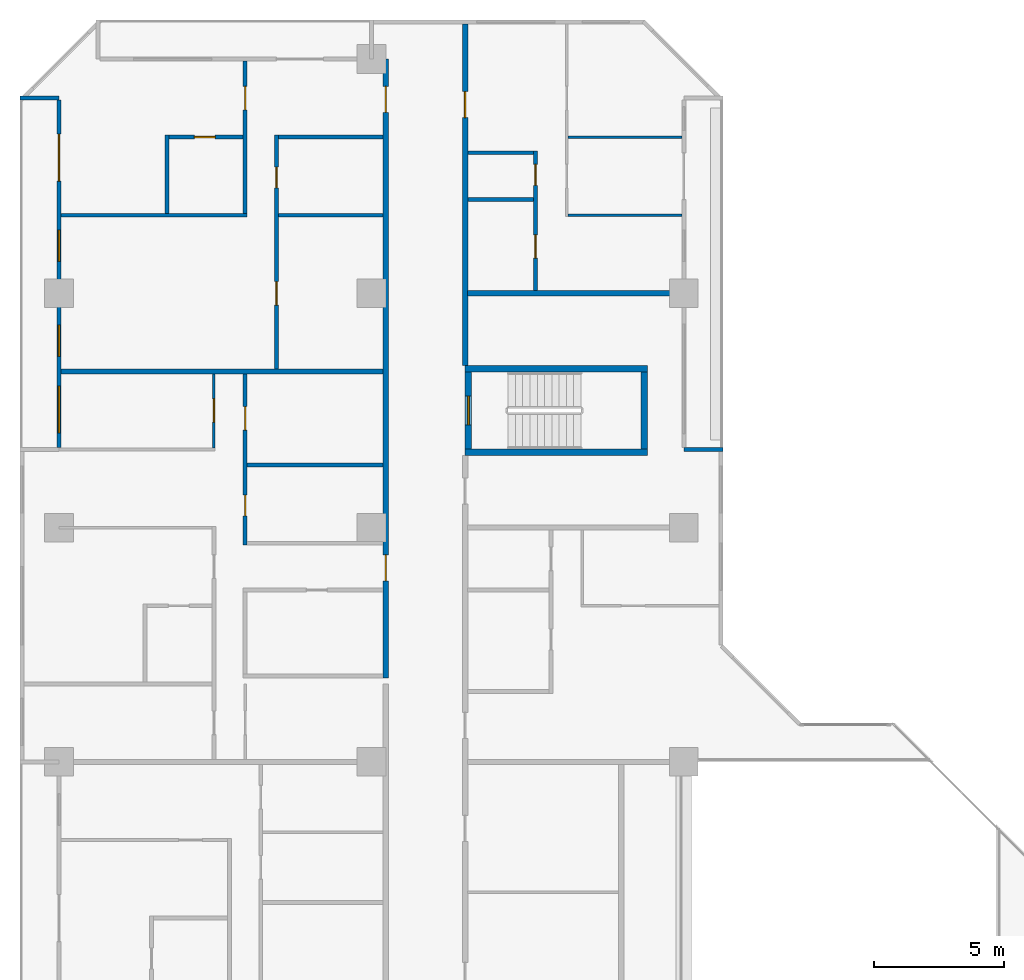
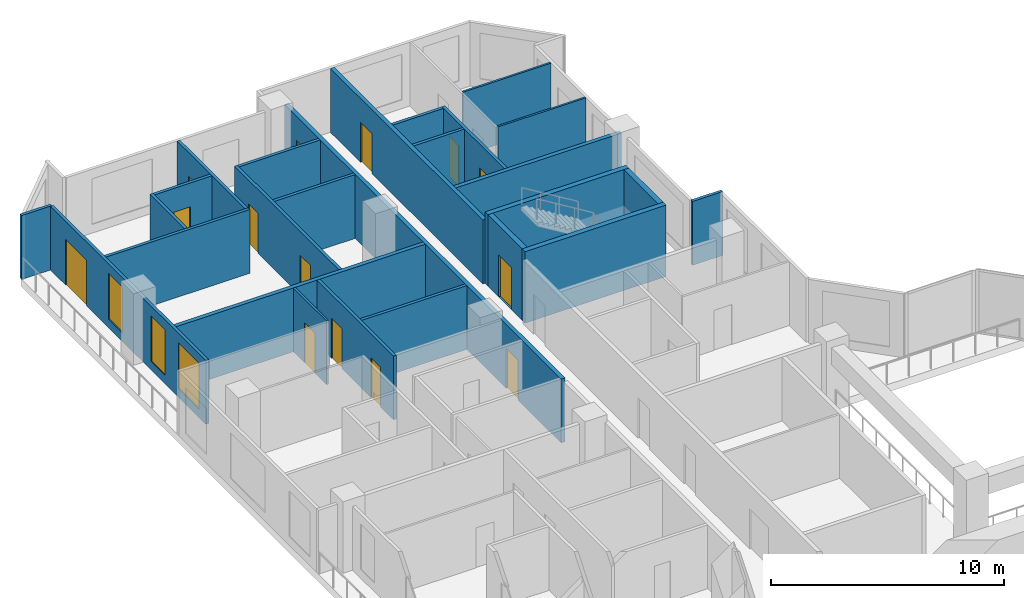
# One storey, part 10 of 15: 26 walls, 14 doors, 3 windows, 17 openings.
"""IFC4 building model written with IfcOpenShell, lengths in metres."""

from ifc_helpers import new_model, si_unit, direction, frame, frame_2d, origin, place, context, subcontext, project, spatial, rectangle, extrude, material, layer, layer_set, type_object, element, fill, save


model = new_model("IFC4")

# Units and contexts
model_context = context("Model", 3, precision=1e-05, world=origin(), true_north=direction((0.0, 1.0)))
body_context = subcontext(model_context, "Body", "Model", "MODEL_VIEW")
ifc_project = project(units=[si_unit("LENGTHUNIT", "METRE"), si_unit("AREAUNIT", "SQUARE_METRE"), si_unit("VOLUMEUNIT", "CUBIC_METRE"), si_unit("PLANEANGLEUNIT", "RADIAN"), si_unit("MASSUNIT", "GRAM", prefix="KILO")], contexts=[model_context])

# Site, building, storey
site_placement = place(None, origin())
site = spatial("IfcSite", under=ifc_project, at=site_placement, CompositionType="ELEMENT")
building_placement = place(site_placement, origin())
building = spatial("IfcBuilding", under=site, at=building_placement, Name="Chenar Terraces", CompositionType="ELEMENT")
storey_placement = place(building_placement, frame((0.0, 0.0, 52.64990234375)))
storey = spatial("IfcBuildingStorey", under=building, at=storey_placement, Name="L10", CompositionType="ELEMENT", Elevation=52.64990234375)

# Walls
ifc_material_1 = material(Name="Concrete C70/85", Category="concrete")
ifc_layer_1 = layer(ifc_material_1, 0.25)
ifc_layer_set_1 = layer_set([ifc_layer_1], Name="Concrete C70/85")
wall_type_1 = type_object("IfcWallType", Name="Core wall 250 Concrete C70/85", PredefinedType="SHEAR", material=ifc_layer_set_1)
for number, where, z_axis, x_axis, name in (
    (1, (15.60009765625, 47.89990234375, 0.0), (0.0, 0.0, 1.0), (1.0, 0.0, 0.0), "Core wall ST4_S L10"),
    (2, (15.60009765625, 51.10009765625, 0.0), (0.0, 0.0, 1.0), (1.0, 0.0, 0.0), "Core wall ST4_N L10"),
):
    element("IfcWall", number, at=place(storey_placement, frame(where, z_axis=z_axis, x_axis=x_axis)), inside=storey, type_object=wall_type_1, Name=name, PredefinedType="SHEAR", context=body_context, shape_type="SweptSolid", body=[
        extrude(rectangle(XDim=7.0, YDim=0.25, at=frame_2d((3.5, 0.0))), origin(), (0.0, 0.0, 1.0), 3.75),
    ])

# Wall, opening, door
wall_1_placement = place(storey_placement, frame((15.72509765625, 48.02490234375, 0.0), z_axis=(0.0, 0.0, 1.0), x_axis=(0.0, 1.0, 0.0)))
wall_1 = element("IfcWall", 3, at=wall_1_placement, inside=storey, type_object=wall_type_1, Name="Core wall ST4_W L10", PredefinedType="SHEAR", context=body_context, shape_type="SweptSolid", body=[
    extrude(rectangle(XDim=2.9501953125, YDim=0.25, at=frame_2d((1.47509765625, 0.0))), origin(), (0.0, 0.0, 1.0), 3.75),
])
opening_1_placement = place(wall_1_placement, frame((0.925048828125, 0.0, 0.0)))
opening_1 = element("IfcOpeningElement", 4, at=opening_1_placement, cuts=wall_1, Name="Opening DL10-C9", PredefinedType="OPENING", context=body_context, shape_type="SweptSolid", body=[
    extrude(rectangle(XDim=1.10009765625, YDim=2.199951171875, at=frame_2d((0.550048828125, 1.10009765625))), frame((0.0, 0.135009765625, 0.0), z_axis=(0.0, -1.0, 0.0), x_axis=(1.0, 0.0, 0.0)), (0.0, 0.0, 1.0), 0.27001953125),
])
ifc_material_2 = material(Name="Steel-framed fire-resisting door leaf", Category="steel")
door_type_1 = type_object("IfcDoorType", Name="Stair fire door FD60 1100 x 2200", OperationType="SINGLE_SWING_LEFT", PredefinedType="DOOR", material=ifc_material_2)
door_1_placement = place(opening_1_placement, frame((1.10009765625, 0.0, 0.0), z_axis=(0.0, 0.0, 1.0), x_axis=(-1.0, 0.0, 0.0)))
door_1 = element("IfcDoor", 5, at=door_1_placement, inside=storey, type_object=door_type_1, Name="Stair door DL10-C9", OperationType="SINGLE_SWING_RIGHT", OverallHeight=2.199951171875, OverallWidth=1.10009765625, PredefinedType="DOOR", context=body_context, shape_type="SweptSolid", body=[
    extrude(rectangle(XDim=1.10009765625, YDim=2.199951171875, at=frame_2d((0.550048828125, 1.10009765625))), frame((0.0, 0.02490234375, 0.0), z_axis=(0.0, -1.0, 0.0), x_axis=(1.0, 0.0, 0.0)), (0.0, 0.0, 1.0), 0.050048828125),
])
fill(opening_1, door_1)

# Wall
wall_2_placement = place(storey_placement, frame((22.47509765625, 48.02490234375, 0.0), z_axis=(0.0, 0.0, 1.0), x_axis=(0.0, 1.0, 0.0)))
element("IfcWall", 6, at=wall_2_placement, inside=storey, type_object=wall_type_1, Name="Core wall ST4_E L10", PredefinedType="SHEAR", context=body_context, shape_type="SweptSolid", body=[
    extrude(rectangle(XDim=2.9501953125, YDim=0.25, at=frame_2d((1.47509765625, 0.0))), origin(), (0.0, 0.0, 1.0), 3.75),
])

# Wall, openings, doors
ifc_material_3 = material(Name="Gypsum board on steel studs with fire boards", Category="steel")
ifc_layer_2 = layer(ifc_material_3, 0.199951171875)
ifc_layer_set_2 = layer_set([ifc_layer_2], Name="Gypsum board on steel studs with fire boards")
wall_type_2 = type_object("IfcWallType", Name="Corridor wall 200", PredefinedType="PARTITIONING", material=ifc_layer_set_2)
wall_3_placement = place(storey_placement, frame((12.550048828125, 39.22509765625, 0.0), z_axis=(0.0, 0.0, 1.0), x_axis=(0.0, 1.0, 0.0)))
wall_3 = element("IfcWall", 7, at=wall_3_placement, inside=storey, type_object=wall_type_2, Name="Partition L10-042", PredefinedType="PARTITIONING", context=body_context, shape_type="SweptSolid", body=[
    extrude(rectangle(XDim=23.77490234375, YDim=0.199951171875, at=frame_2d((11.887451171875, 0.0))), origin(), (0.0, 0.0, 1.0), 3.35009765625),
])
opening_2_placement = place(wall_3_placement, frame((3.72509765625, 0.0, 0.0)))
opening_2 = element("IfcOpeningElement", 8, at=opening_2_placement, cuts=wall_3, Name="Opening DL10-39", PredefinedType="OPENING", context=body_context, shape_type="SweptSolid", body=[
    extrude(rectangle(XDim=1.0, YDim=2.10009765625, at=frame_2d((0.5, 1.050048828125))), frame((0.0, 0.10986328125, 0.0), z_axis=(0.0, -1.0, 0.0), x_axis=(1.0, 0.0, 0.0)), (0.0, 0.0, 1.0), 0.219970703125),
])
opening_3_placement = place(wall_3_placement, frame((21.72509765625, 0.0, 0.0)))
opening_3 = element("IfcOpeningElement", 9, at=opening_3_placement, cuts=wall_3, Name="Opening DL10-45", PredefinedType="OPENING", context=body_context, shape_type="SweptSolid", body=[
    extrude(rectangle(XDim=1.0, YDim=2.10009765625, at=frame_2d((0.5, 1.050048828125))), frame((0.0, 0.10986328125, 0.0), z_axis=(0.0, -1.0, 0.0), x_axis=(1.0, 0.0, 0.0)), (0.0, 0.0, 1.0), 0.219970703125),
])
ifc_material_4 = material(Name="Steel-framed fire-resisting door leaf", Category="steel")
door_type_2 = type_object("IfcDoorType", Name="Fire door FD30S 1000 x 2100", OperationType="SINGLE_SWING_LEFT", PredefinedType="DOOR", material=ifc_material_4)
door_2_placement = place(opening_2_placement, origin())
door_2 = element("IfcDoor", 10, at=door_2_placement, inside=storey, type_object=door_type_2, Name="Door DL10-39", OperationType="SINGLE_SWING_LEFT", OverallHeight=2.10009765625, OverallWidth=1.0, PredefinedType="DOOR", context=body_context, shape_type="SweptSolid", body=[
    extrude(rectangle(XDim=1.0, YDim=2.10009765625, at=frame_2d((0.5, 1.050048828125))), frame((0.0, 0.02490234375, 0.0), z_axis=(0.0, -1.0, 0.0), x_axis=(1.0, 0.0, 0.0)), (0.0, 0.0, 1.0), 0.050048828125),
])
fill(opening_2, door_2)
door_3_placement = place(opening_3_placement, origin())
door_3 = element("IfcDoor", 11, at=door_3_placement, inside=storey, type_object=door_type_2, Name="Door DL10-45", OperationType="SINGLE_SWING_RIGHT", OverallHeight=2.10009765625, OverallWidth=1.0, PredefinedType="DOOR", context=body_context, shape_type="SweptSolid", body=[
    extrude(rectangle(XDim=1.0, YDim=2.10009765625, at=frame_2d((0.5, 1.050048828125))), frame((0.0, 0.02490234375, 0.0), z_axis=(0.0, -1.0, 0.0), x_axis=(1.0, 0.0, 0.0)), (0.0, 0.0, 1.0), 0.050048828125),
])
fill(opening_3, door_3)

# Wall, opening, door
wall_4_placement = place(storey_placement, frame((15.60009765625, 51.22509765625, 0.0), z_axis=(0.0, 0.0, 1.0), x_axis=(0.0, 1.0, 0.0)))
wall_4 = element("IfcWall", 12, at=wall_4_placement, inside=storey, type_object=wall_type_2, Name="Partition L10-045", PredefinedType="PARTITIONING", context=body_context, shape_type="SweptSolid", body=[
    extrude(rectangle(XDim=13.125, YDim=0.199951171875, at=frame_2d((6.5625, 0.0))), origin(), (0.0, 0.0, 1.0), 3.35009765625),
])
opening_4_placement = place(wall_4_placement, frame((9.52490234375, 0.0, 0.0)))
opening_4 = element("IfcOpeningElement", 13, at=opening_4_placement, cuts=wall_4, Name="Opening DL10-31", PredefinedType="OPENING", context=body_context, shape_type="SweptSolid", body=[
    extrude(rectangle(XDim=1.0, YDim=2.10009765625, at=frame_2d((0.5, 1.050048828125))), frame((0.0, 0.10986328125, 0.0), z_axis=(0.0, -1.0, 0.0), x_axis=(1.0, 0.0, 0.0)), (0.0, 0.0, 1.0), 0.219970703125),
])
door_4_placement = place(opening_4_placement, frame((1.0, 0.0, 0.0), z_axis=(0.0, 0.0, 1.0), x_axis=(-1.0, 0.0, 0.0)))
door_4 = element("IfcDoor", 14, at=door_4_placement, inside=storey, type_object=door_type_2, Name="Door DL10-31", OperationType="SINGLE_SWING_RIGHT", OverallHeight=2.10009765625, OverallWidth=1.0, PredefinedType="DOOR", context=body_context, shape_type="SweptSolid", body=[
    extrude(rectangle(XDim=1.0, YDim=2.10009765625, at=frame_2d((0.5, 1.050048828125))), frame((0.0, 0.02490234375, 0.0), z_axis=(0.0, -1.0, 0.0), x_axis=(1.0, 0.0, 0.0)), (0.0, 0.0, 1.0), 0.050048828125),
])
fill(opening_4, door_4)

# Wall, openings, windows, door
ifc_material_5 = material(Name="Aluminium framed glazing", Category="aluminium")
ifc_layer_3 = layer(ifc_material_5, 0.14990234375)
ifc_layer_set_3 = layer_set([ifc_layer_3], Name="Aluminium framed glazing")
wall_type_3 = type_object("IfcWallType", Name="Glazed loggia back wall 150", PredefinedType="SOLIDWALL", material=ifc_layer_set_3)
wall_5_placement = place(storey_placement, frame((0.0, 61.425048828125, 0.0), z_axis=(0.0, 0.0, 1.0), x_axis=(0.0, -1.0, 0.0)))
wall_5 = element("IfcWall", 15, at=wall_5_placement, inside=storey, type_object=wall_type_3, Name="Glazed loggia back wall", PredefinedType="SOLIDWALL", context=body_context, shape_type="SweptSolid", body=[
    extrude(rectangle(XDim=13.35009765625, YDim=0.14990234375, at=frame_2d((6.675048828125, 0.0))), origin(), (0.0, 0.0, 1.0), 3.35009765625),
])
opening_5_placement = place(wall_5_placement, frame((1.3125, 0.0, 0.0)))
opening_5 = element("IfcOpeningElement", 16, at=opening_5_placement, cuts=wall_5, Name="Opening DL10-G3", PredefinedType="OPENING", context=body_context, shape_type="SweptSolid", body=[
    extrude(rectangle(XDim=1.800048828125, YDim=2.39990234375, at=frame_2d((0.89990234375, 1.199951171875))), frame((0.0, 0.0849609375, 0.0), z_axis=(0.0, -1.0, 0.0), x_axis=(1.0, 0.0, 0.0)), (0.0, 0.0, 1.0), 0.169921875),
])
opening_6_placement = place(wall_5_placement, frame((5.0, 0.0, 0.449951171875)))
opening_6 = element("IfcOpeningElement", 17, at=opening_6_placement, cuts=wall_5, Name="Opening W120x240", PredefinedType="OPENING", context=body_context, shape_type="SweptSolid", body=[
    extrude(rectangle(XDim=1.199951171875, YDim=2.39990234375, at=frame_2d((0.60009765625, 1.199951171875))), frame((0.0, 0.0849609375, 0.0), z_axis=(0.0, -1.0, 0.0), x_axis=(1.0, 0.0, 0.0)), (0.0, 0.0, 1.0), 0.169921875),
])
opening_7_placement = place(wall_5_placement, frame((8.64990234375, 0.0, 0.449951171875)))
opening_7 = element("IfcOpeningElement", 18, at=opening_7_placement, cuts=wall_5, Name="Opening W120x240", PredefinedType="OPENING", context=body_context, shape_type="SweptSolid", body=[
    extrude(rectangle(XDim=1.199951171875, YDim=2.39990234375, at=frame_2d((0.60009765625, 1.199951171875))), frame((0.0, 0.0849609375, 0.0), z_axis=(0.0, -1.0, 0.0), x_axis=(1.0, 0.0, 0.0)), (0.0, 0.0, 1.0), 0.169921875),
])
opening_8_placement = place(wall_5_placement, frame((10.987548828125, 0.0, 0.449951171875)))
opening_8 = element("IfcOpeningElement", 19, at=opening_8_placement, cuts=wall_5, Name="Opening W180x240", PredefinedType="OPENING", context=body_context, shape_type="SweptSolid", body=[
    extrude(rectangle(XDim=1.800048828125, YDim=2.39990234375, at=frame_2d((0.89990234375, 1.199951171875))), frame((0.0, 0.0849609375, 0.0), z_axis=(0.0, -1.0, 0.0), x_axis=(1.0, 0.0, 0.0)), (0.0, 0.0, 1.0), 0.169921875),
])
ifc_material_6 = material(Name="Low emissivity double glazing, aluminium frame", Category="aluminium")
window_type_1 = type_object("IfcWindowType", Name="Fixed light 1200 x 2400", PartitioningType="SINGLE_PANEL", PredefinedType="WINDOW", material=ifc_material_6)
window_1_placement = place(opening_6_placement, origin())
window_1 = element("IfcWindow", 20, at=window_1_placement, inside=storey, type_object=window_type_1, Name="Window", OverallHeight=2.39990234375, OverallWidth=1.199951171875, PartitioningType="SINGLE_PANEL", PredefinedType="WINDOW", context=body_context, shape_type="SweptSolid", body=[
    extrude(rectangle(XDim=1.199951171875, YDim=2.39990234375, at=frame_2d((0.60009765625, 1.199951171875))), frame((0.0, 0.030029296875, 0.0), z_axis=(0.0, -1.0, 0.0), x_axis=(1.0, 0.0, 0.0)), (0.0, 0.0, 1.0), 0.06005859375),
])
fill(opening_6, window_1)
window_2_placement = place(opening_7_placement, origin())
window_2 = element("IfcWindow", 21, at=window_2_placement, inside=storey, type_object=window_type_1, Name="Window", OverallHeight=2.39990234375, OverallWidth=1.199951171875, PartitioningType="SINGLE_PANEL", PredefinedType="WINDOW", context=body_context, shape_type="SweptSolid", body=[
    extrude(rectangle(XDim=1.199951171875, YDim=2.39990234375, at=frame_2d((0.60009765625, 1.199951171875))), frame((0.0, 0.030029296875, 0.0), z_axis=(0.0, -1.0, 0.0), x_axis=(1.0, 0.0, 0.0)), (0.0, 0.0, 1.0), 0.06005859375),
])
fill(opening_7, window_2)
ifc_material_7 = material(Name="Low emissivity double glazing, aluminium frame", Category="aluminium")
window_type_2 = type_object("IfcWindowType", Name="Fixed light 1800 x 2400", PartitioningType="SINGLE_PANEL", PredefinedType="WINDOW", material=ifc_material_7)
window_3_placement = place(opening_8_placement, origin())
window_3 = element("IfcWindow", 22, at=window_3_placement, inside=storey, type_object=window_type_2, Name="Window", OverallHeight=2.39990234375, OverallWidth=1.800048828125, PartitioningType="SINGLE_PANEL", PredefinedType="WINDOW", context=body_context, shape_type="SweptSolid", body=[
    extrude(rectangle(XDim=1.800048828125, YDim=2.39990234375, at=frame_2d((0.89990234375, 1.199951171875))), frame((0.0, 0.030029296875, 0.0), z_axis=(0.0, -1.0, 0.0), x_axis=(1.0, 0.0, 0.0)), (0.0, 0.0, 1.0), 0.06005859375),
])
fill(opening_8, window_3)
ifc_material_8 = material(Name="Low emissivity double glazing, aluminium frame", Category="aluminium")
door_type_3 = type_object("IfcDoorType", Name="Loggia glazed double door 1800 x 2400", OperationType="DOUBLE_DOOR_SINGLE_SWING", PredefinedType="DOOR", material=ifc_material_8)
door_5_placement = place(opening_5_placement, frame((1.800048828125, 0.0, 0.0), z_axis=(0.0, 0.0, 1.0), x_axis=(-1.0, 0.0, 0.0)))
door_5 = element("IfcDoor", 23, at=door_5_placement, inside=storey, type_object=door_type_3, Name="Loggia glazed door", OperationType="DOUBLE_DOOR_SINGLE_SWING", OverallHeight=2.39990234375, OverallWidth=1.800048828125, PredefinedType="DOOR", context=body_context, shape_type="SweptSolid", body=[
    extrude(rectangle(XDim=1.800048828125, YDim=2.39990234375, at=frame_2d((0.89990234375, 1.199951171875))), frame((0.0, 0.02490234375, 0.0), z_axis=(0.0, -1.0, 0.0), x_axis=(1.0, 0.0, 0.0)), (0.0, 0.0, 1.0), 0.050048828125),
])
fill(opening_5, door_5)

# Wall, opening, door
ifc_material_9 = material(Name="Gypsum board on steel studs", Category="steel")
ifc_layer_4 = layer(ifc_material_9, 0.10009765625)
ifc_layer_set_4 = layer_set([ifc_layer_4], Name="Gypsum board on steel studs")
wall_type_4 = type_object("IfcWallType", Name="Gypsum partition 100", PredefinedType="PARTITIONING", material=ifc_layer_set_4)
wall_6_placement = place(storey_placement, frame((5.949951171875, 48.050048828125, 0.0), z_axis=(0.0, 0.0, 1.0), x_axis=(0.0, 1.0, 0.0)))
wall_6 = element("IfcWall", 24, at=wall_6_placement, inside=storey, type_object=wall_type_4, Name="Partition L10-019", PredefinedType="PARTITIONING", context=body_context, shape_type="SweptSolid", body=[
    extrude(rectangle(XDim=2.849853515625, YDim=0.10009765625, at=frame_2d((1.4248046875, 0.0))), origin(), (0.0, 0.0, 1.0), 3.35009765625),
])
opening_9_placement = place(wall_6_placement, frame((1.0, 0.0, 0.0)))
opening_9 = element("IfcOpeningElement", 25, at=opening_9_placement, cuts=wall_6, Name="Opening DL10-34", PredefinedType="OPENING", context=body_context, shape_type="SweptSolid", body=[
    extrude(rectangle(XDim=0.89990234375, YDim=2.10009765625, at=frame_2d((0.449951171875, 1.050048828125))), frame((0.0, 0.06005859375, 0.0), z_axis=(0.0, -1.0, 0.0), x_axis=(1.0, 0.0, 0.0)), (0.0, 0.0, 1.0), 0.1201171875),
])
ifc_material_10 = material(Name="Veneered timber door leaf", Category="wood")
door_type_4 = type_object("IfcDoorType", Name="Door 900 x 2100", OperationType="SINGLE_SWING_LEFT", PredefinedType="DOOR", material=ifc_material_10)
door_6_placement = place(opening_9_placement, origin())
door_6 = element("IfcDoor", 26, at=door_6_placement, inside=storey, type_object=door_type_4, Name="Door DL10-34", OperationType="SINGLE_SWING_RIGHT", OverallHeight=2.10009765625, OverallWidth=0.89990234375, PredefinedType="DOOR", context=body_context, shape_type="SweptSolid", body=[
    extrude(rectangle(XDim=0.89990234375, YDim=2.10009765625, at=frame_2d((0.449951171875, 1.050048828125))), frame((0.0, 0.02490234375, 0.0), z_axis=(0.0, -1.0, 0.0), x_axis=(1.0, 0.0, 0.0)), (0.0, 0.0, 1.0), 0.050048828125),
])
fill(opening_9, door_6)

# Walls
for number, where, z_axis, x_axis, name in (
    (27, (19.550048828125, 57.0, 0.0), (0.0, 0.0, 1.0), (1.0, 0.0, 0.0), "Partition L10-059"),
    (28, (19.550048828125, 60.0, 0.0), (0.0, 0.0, 1.0), (1.0, 0.0, 0.0), "Partition L10-060"),
):
    element("IfcWall", number, at=place(storey_placement, frame(where, z_axis=z_axis, x_axis=x_axis)), inside=storey, type_object=wall_type_4, Name=name, PredefinedType="PARTITIONING", context=body_context, shape_type="SweptSolid", body=[
        extrude(rectangle(XDim=4.3759765625, YDim=0.10009765625, at=frame_2d((2.18798828125, 0.0))), origin(), (0.0, 0.0, 1.0), 3.35009765625),
    ])
ifc_material_11 = material(Name="Terracotta cladding on insulated backing", Category="masonry")
ifc_layer_5 = layer(ifc_material_11, 0.14990234375)
ifc_layer_set_5 = layer_set([ifc_layer_5], Name="Terracotta cladding on insulated backing")
wall_type_5 = type_object("IfcWallType", Name="Loggia return wall 150", PredefinedType="SOLIDWALL", material=ifc_layer_set_5)
for number, where, z_axis, x_axis, name in (
    (29, (25.5, 48.0, 0.0), (0.0, 0.0, 1.0), (-1.0, 0.0, 0.0), "Loggia return wall"),
    (30, (-1.5, 61.5, 0.0), (0.0, 0.0, 1.0), (1.0, 0.0, 0.0), "Loggia return wall"),
):
    element("IfcWall", number, at=place(storey_placement, frame(where, z_axis=z_axis, x_axis=x_axis)), inside=storey, type_object=wall_type_5, Name=name, PredefinedType="SOLIDWALL", context=body_context, shape_type="SweptSolid", body=[
        extrude(rectangle(XDim=1.5, YDim=0.14990234375, at=frame_2d((0.75, 0.0))), origin(), (0.0, 0.0, 1.0), 3.35009765625),
    ])
ifc_material_12 = material(Name="Twin gypsum board on steel studs with mineral wool", Category="steel")
ifc_layer_6 = layer(ifc_material_12, 0.199951171875)
ifc_layer_set_6 = layer_set([ifc_layer_6], Name="Twin gypsum board on steel studs with mineral wool")
wall_type_6 = type_object("IfcWallType", Name="Unit demising wall 200", PredefinedType="PARTITIONING", material=ifc_layer_set_6)
wall_7_placement = place(storey_placement, frame((0.073974609375, 51.0, 0.0), z_axis=(0.0, 0.0, 1.0), x_axis=(1.0, 0.0, 0.0)))
element("IfcWall", 31, at=wall_7_placement, inside=storey, type_object=wall_type_6, Name="Partition L10-009", PredefinedType="PARTITIONING", context=body_context, shape_type="SweptSolid", body=[
    extrude(rectangle(XDim=12.3759765625, YDim=0.199951171875, at=frame_2d((6.18798828125, 0.0))), origin(), (0.0, 0.0, 1.0), 3.35009765625),
])
wall_8_placement = place(storey_placement, frame((15.699951171875, 54.0, 0.0), z_axis=(0.0, 0.0, 1.0), x_axis=(1.0, 0.0, 0.0)))
element("IfcWall", 32, at=wall_8_placement, inside=storey, type_object=wall_type_6, Name="Partition L10-052", PredefinedType="PARTITIONING", context=body_context, shape_type="SweptSolid", body=[
    extrude(rectangle(XDim=8.22607421875, YDim=0.199951171875, at=frame_2d((4.113037109375, 0.0))), origin(), (0.0, 0.0, 1.0), 3.35009765625),
])
ifc_material_13 = material(Name="Moisture-resistant gypsum board on steel studs", Category="steel")
ifc_layer_7 = layer(ifc_material_13, 0.14990234375)
ifc_layer_set_7 = layer_set([ifc_layer_7], Name="Moisture-resistant gypsum board on steel studs")
wall_type_7 = type_object("IfcWallType", Name="Wet-room partition 150", PredefinedType="PARTITIONING", material=ifc_layer_set_7)
wall_9_placement = place(storey_placement, frame((0.073974609375, 57.0, 0.0), z_axis=(0.0, 0.0, 1.0), x_axis=(1.0, 0.0, 0.0)))
element("IfcWall", 33, at=wall_9_placement, inside=storey, type_object=wall_type_7, Name="Partition L10-010", PredefinedType="PARTITIONING", context=body_context, shape_type="SweptSolid", body=[
    extrude(rectangle(XDim=7.151123046875, YDim=0.14990234375, at=frame_2d((3.57568359375, 0.0))), origin(), (0.0, 0.0, 1.0), 3.35009765625),
])
wall_10_placement = place(storey_placement, frame((4.14990234375, 57.074951171875, 0.0), z_axis=(0.0, 0.0, 1.0), x_axis=(0.0, 1.0, 0.0)))
element("IfcWall", 34, at=wall_10_placement, inside=storey, type_object=wall_type_7, Name="Partition L10-016", PredefinedType="PARTITIONING", context=body_context, shape_type="SweptSolid", body=[
    extrude(rectangle(XDim=3.0, YDim=0.14990234375, at=frame_2d((1.5, 0.0))), origin(), (0.0, 0.0, 1.0), 3.35009765625),
])

# Wall, opening, door
wall_11_placement = place(storey_placement, frame((4.22509765625, 60.0, 0.0), z_axis=(0.0, 0.0, 1.0), x_axis=(1.0, 0.0, 0.0)))
wall_11 = element("IfcWall", 35, at=wall_11_placement, inside=storey, type_object=wall_type_7, Name="Partition L10-017", PredefinedType="PARTITIONING", context=body_context, shape_type="SweptSolid", body=[
    extrude(rectangle(XDim=2.849853515625, YDim=0.14990234375, at=frame_2d((1.4248046875, 0.0))), origin(), (0.0, 0.0, 1.0), 3.35009765625),
])
opening_10_placement = place(wall_11_placement, frame((0.97509765625, 0.0, 0.0)))
opening_10 = element("IfcOpeningElement", 36, at=opening_10_placement, cuts=wall_11, Name="Opening DL10-43", PredefinedType="OPENING", context=body_context, shape_type="SweptSolid", body=[
    extrude(rectangle(XDim=0.800048828125, YDim=2.10009765625, at=frame_2d((0.39990234375, 1.050048828125))), frame((0.0, 0.0849609375, 0.0), z_axis=(0.0, -1.0, 0.0), x_axis=(1.0, 0.0, 0.0)), (0.0, 0.0, 1.0), 0.169921875),
])
ifc_material_14 = material(Name="Veneered timber door leaf", Category="wood")
door_type_5 = type_object("IfcDoorType", Name="Door 800 x 2100", OperationType="SINGLE_SWING_LEFT", PredefinedType="DOOR", material=ifc_material_14)
door_7_placement = place(opening_10_placement, frame((0.800048828125, 0.0, 0.0), z_axis=(0.0, 0.0, 1.0), x_axis=(-1.0, 0.0, 0.0)))
door_7 = element("IfcDoor", 37, at=door_7_placement, inside=storey, type_object=door_type_5, Name="Door DL10-43", OperationType="SINGLE_SWING_RIGHT", OverallHeight=2.10009765625, OverallWidth=0.800048828125, PredefinedType="DOOR", context=body_context, shape_type="SweptSolid", body=[
    extrude(rectangle(XDim=0.800048828125, YDim=2.10009765625, at=frame_2d((0.39990234375, 1.050048828125))), frame((0.0, 0.02490234375, 0.0), z_axis=(0.0, -1.0, 0.0), x_axis=(1.0, 0.0, 0.0)), (0.0, 0.0, 1.0), 0.050048828125),
])
fill(opening_10, door_7)

# Wall, openings, doors
wall_12_placement = place(storey_placement, frame((7.14990234375, 44.324951171875, 0.0), z_axis=(0.0, 0.0, 1.0), x_axis=(0.0, 1.0, 0.0)))
wall_12 = element("IfcWall", 38, at=wall_12_placement, inside=storey, type_object=wall_type_7, Name="Partition L10-025", PredefinedType="PARTITIONING", context=body_context, shape_type="SweptSolid", body=[
    extrude(rectangle(XDim=6.574951171875, YDim=0.14990234375, at=frame_2d((3.28759765625, 0.0))), origin(), (0.0, 0.0, 1.0), 3.35009765625),
])
opening_11_placement = place(wall_12_placement, frame((4.425048828125, 0.0, 0.0)))
opening_11 = element("IfcOpeningElement", 39, at=opening_11_placement, cuts=wall_12, Name="Opening DL10-37", PredefinedType="OPENING", context=body_context, shape_type="SweptSolid", body=[
    extrude(rectangle(XDim=0.89990234375, YDim=2.10009765625, at=frame_2d((0.449951171875, 1.050048828125))), frame((0.0, 0.0849609375, 0.0), z_axis=(0.0, -1.0, 0.0), x_axis=(1.0, 0.0, 0.0)), (0.0, 0.0, 1.0), 0.169921875),
])
opening_12_placement = place(wall_12_placement, frame((1.125, 0.0, 0.0)))
opening_12 = element("IfcOpeningElement", 40, at=opening_12_placement, cuts=wall_12, Name="Opening DL10-38", PredefinedType="OPENING", context=body_context, shape_type="SweptSolid", body=[
    extrude(rectangle(XDim=0.800048828125, YDim=2.10009765625, at=frame_2d((0.39990234375, 1.050048828125))), frame((0.0, 0.0849609375, 0.0), z_axis=(0.0, -1.0, 0.0), x_axis=(1.0, 0.0, 0.0)), (0.0, 0.0, 1.0), 0.169921875),
])
door_8_placement = place(opening_12_placement, frame((0.800048828125, 0.0, 0.0), z_axis=(0.0, 0.0, 1.0), x_axis=(-1.0, 0.0, 0.0)))
door_8 = element("IfcDoor", 41, at=door_8_placement, inside=storey, type_object=door_type_5, Name="Door DL10-38", OperationType="SINGLE_SWING_RIGHT", OverallHeight=2.10009765625, OverallWidth=0.800048828125, PredefinedType="DOOR", context=body_context, shape_type="SweptSolid", body=[
    extrude(rectangle(XDim=0.800048828125, YDim=2.10009765625, at=frame_2d((0.39990234375, 1.050048828125))), frame((0.0, 0.02490234375, 0.0), z_axis=(0.0, -1.0, 0.0), x_axis=(1.0, 0.0, 0.0)), (0.0, 0.0, 1.0), 0.050048828125),
])
fill(opening_12, door_8)
door_9_placement = place(opening_11_placement, frame((0.89990234375, 0.0, 0.0), z_axis=(0.0, 0.0, 1.0), x_axis=(-1.0, 0.0, 0.0)))
door_9 = element("IfcDoor", 42, at=door_9_placement, inside=storey, type_object=door_type_4, Name="Door DL10-37", OperationType="SINGLE_SWING_LEFT", OverallHeight=2.10009765625, OverallWidth=0.89990234375, PredefinedType="DOOR", context=body_context, shape_type="SweptSolid", body=[
    extrude(rectangle(XDim=0.89990234375, YDim=2.10009765625, at=frame_2d((0.449951171875, 1.050048828125))), frame((0.0, 0.02490234375, 0.0), z_axis=(0.0, -1.0, 0.0), x_axis=(1.0, 0.0, 0.0)), (0.0, 0.0, 1.0), 0.050048828125),
])
fill(opening_11, door_9)

# Wall, opening, door
wall_13_placement = place(storey_placement, frame((7.14990234375, 57.074951171875, 0.0), z_axis=(0.0, 0.0, 1.0), x_axis=(0.0, 1.0, 0.0)))
wall_13 = element("IfcWall", 43, at=wall_13_placement, inside=storey, type_object=wall_type_7, Name="Partition L10-026", PredefinedType="PARTITIONING", context=body_context, shape_type="SweptSolid", body=[
    extrude(rectangle(XDim=5.85107421875, YDim=0.14990234375, at=frame_2d((2.925537109375, 0.0))), origin(), (0.0, 0.0, 1.0), 3.35009765625),
])
opening_13_placement = place(wall_13_placement, frame((3.97509765625, 0.0, 0.0)))
opening_13 = element("IfcOpeningElement", 44, at=opening_13_placement, cuts=wall_13, Name="Opening DL10-42", PredefinedType="OPENING", context=body_context, shape_type="SweptSolid", body=[
    extrude(rectangle(XDim=0.89990234375, YDim=2.10009765625, at=frame_2d((0.449951171875, 1.050048828125))), frame((0.0, 0.0849609375, 0.0), z_axis=(0.0, -1.0, 0.0), x_axis=(1.0, 0.0, 0.0)), (0.0, 0.0, 1.0), 0.169921875),
])
door_10_placement = place(opening_13_placement, origin())
door_10 = element("IfcDoor", 45, at=door_10_placement, inside=storey, type_object=door_type_4, Name="Door DL10-42", OperationType="SINGLE_SWING_RIGHT", OverallHeight=2.10009765625, OverallWidth=0.89990234375, PredefinedType="DOOR", context=body_context, shape_type="SweptSolid", body=[
    extrude(rectangle(XDim=0.89990234375, YDim=2.10009765625, at=frame_2d((0.449951171875, 1.050048828125))), frame((0.0, 0.02490234375, 0.0), z_axis=(0.0, -1.0, 0.0), x_axis=(1.0, 0.0, 0.0)), (0.0, 0.0, 1.0), 0.050048828125),
])
fill(opening_13, door_10)

# Wall
wall_14_placement = place(storey_placement, frame((7.22509765625, 47.39990234375, 0.0), z_axis=(0.0, 0.0, 1.0), x_axis=(1.0, 0.0, 0.0)))
element("IfcWall", 46, at=wall_14_placement, inside=storey, type_object=wall_type_7, Name="Partition L10-028", PredefinedType="PARTITIONING", context=body_context, shape_type="SweptSolid", body=[
    extrude(rectangle(XDim=5.224853515625, YDim=0.14990234375, at=frame_2d((2.6123046875, 0.0))), origin(), (0.0, 0.0, 1.0), 3.35009765625),
])

# Wall, openings, doors
wall_15_placement = place(storey_placement, frame((8.35009765625, 51.10009765625, 0.0), z_axis=(0.0, 0.0, 1.0), x_axis=(0.0, 1.0, 0.0)))
wall_15 = element("IfcWall", 47, at=wall_15_placement, inside=storey, type_object=wall_type_7, Name="Partition L10-033", PredefinedType="PARTITIONING", context=body_context, shape_type="SweptSolid", body=[
    extrude(rectangle(XDim=8.974853515625, YDim=0.14990234375, at=frame_2d((4.4873046875, 0.0))), origin(), (0.0, 0.0, 1.0), 3.35009765625),
])
opening_14_placement = place(wall_15_placement, frame((6.949951171875, 0.0, 0.0)))
opening_14 = element("IfcOpeningElement", 48, at=opening_14_placement, cuts=wall_15, Name="Opening DL10-41", PredefinedType="OPENING", context=body_context, shape_type="SweptSolid", body=[
    extrude(rectangle(XDim=0.800048828125, YDim=2.10009765625, at=frame_2d((0.39990234375, 1.050048828125))), frame((0.0, 0.0849609375, 0.0), z_axis=(0.0, -1.0, 0.0), x_axis=(1.0, 0.0, 0.0)), (0.0, 0.0, 1.0), 0.169921875),
])
opening_15_placement = place(wall_15_placement, frame((2.449951171875, 0.0, 0.0)))
opening_15 = element("IfcOpeningElement", 49, at=opening_15_placement, cuts=wall_15, Name="Opening DL10-44", PredefinedType="OPENING", context=body_context, shape_type="SweptSolid", body=[
    extrude(rectangle(XDim=0.89990234375, YDim=2.10009765625, at=frame_2d((0.449951171875, 1.050048828125))), frame((0.0, 0.0849609375, 0.0), z_axis=(0.0, -1.0, 0.0), x_axis=(1.0, 0.0, 0.0)), (0.0, 0.0, 1.0), 0.169921875),
])
door_11_placement = place(opening_14_placement, frame((0.800048828125, 0.0, 0.0), z_axis=(0.0, 0.0, 1.0), x_axis=(-1.0, 0.0, 0.0)))
door_11 = element("IfcDoor", 50, at=door_11_placement, inside=storey, type_object=door_type_5, Name="Door DL10-41", OperationType="SINGLE_SWING_RIGHT", OverallHeight=2.10009765625, OverallWidth=0.800048828125, PredefinedType="DOOR", context=body_context, shape_type="SweptSolid", body=[
    extrude(rectangle(XDim=0.800048828125, YDim=2.10009765625, at=frame_2d((0.39990234375, 1.050048828125))), frame((0.0, 0.02490234375, 0.0), z_axis=(0.0, -1.0, 0.0), x_axis=(1.0, 0.0, 0.0)), (0.0, 0.0, 1.0), 0.050048828125),
])
fill(opening_14, door_11)
door_12_placement = place(opening_15_placement, frame((0.89990234375, 0.0, 0.0), z_axis=(0.0, 0.0, 1.0), x_axis=(-1.0, 0.0, 0.0)))
door_12 = element("IfcDoor", 51, at=door_12_placement, inside=storey, type_object=door_type_4, Name="Door DL10-44", OperationType="SINGLE_SWING_LEFT", OverallHeight=2.10009765625, OverallWidth=0.89990234375, PredefinedType="DOOR", context=body_context, shape_type="SweptSolid", body=[
    extrude(rectangle(XDim=0.89990234375, YDim=2.10009765625, at=frame_2d((0.449951171875, 1.050048828125))), frame((0.0, 0.02490234375, 0.0), z_axis=(0.0, -1.0, 0.0), x_axis=(1.0, 0.0, 0.0)), (0.0, 0.0, 1.0), 0.050048828125),
])
fill(opening_15, door_12)

# Walls
for number, where, z_axis, x_axis, name in (
    (52, (8.425048828125, 57.0, 0.0), (0.0, 0.0, 1.0), (1.0, 0.0, 0.0), "Partition L10-034"),
    (53, (8.425048828125, 60.0, 0.0), (0.0, 0.0, 1.0), (1.0, 0.0, 0.0), "Partition L10-035"),
):
    element("IfcWall", number, at=place(storey_placement, frame(where, z_axis=z_axis, x_axis=x_axis)), inside=storey, type_object=wall_type_7, Name=name, PredefinedType="PARTITIONING", context=body_context, shape_type="SweptSolid", body=[
        extrude(rectangle(XDim=4.02490234375, YDim=0.14990234375, at=frame_2d((2.012451171875, 0.0))), origin(), (0.0, 0.0, 1.0), 3.35009765625),
    ])
for number, where, z_axis, x_axis, name in (
    (54, (15.699951171875, 57.60009765625, 0.0), (0.0, 0.0, 1.0), (1.0, 0.0, 0.0), "Partition L10-053"),
    (55, (15.699951171875, 59.39990234375, 0.0), (0.0, 0.0, 1.0), (1.0, 0.0, 0.0), "Partition L10-054"),
):
    element("IfcWall", number, at=place(storey_placement, frame(where, z_axis=z_axis, x_axis=x_axis)), inside=storey, type_object=wall_type_7, Name=name, PredefinedType="PARTITIONING", context=body_context, shape_type="SweptSolid", body=[
        extrude(rectangle(XDim=2.525146484375, YDim=0.14990234375, at=frame_2d((1.2626953125, 0.0))), origin(), (0.0, 0.0, 1.0), 3.35009765625),
    ])

# Wall, openings, doors
wall_16_placement = place(storey_placement, frame((18.300048828125, 54.10009765625, 0.0), z_axis=(0.0, 0.0, 1.0), x_axis=(0.0, 1.0, 0.0)))
wall_16 = element("IfcWall", 56, at=wall_16_placement, inside=storey, type_object=wall_type_7, Name="Partition L10-056", PredefinedType="PARTITIONING", context=body_context, shape_type="SweptSolid", body=[
    extrude(rectangle(XDim=5.375, YDim=0.14990234375, at=frame_2d((2.6875, 0.0))), origin(), (0.0, 0.0, 1.0), 3.35009765625),
])
opening_16_placement = place(wall_16_placement, frame((4.050048828125, 0.0, 0.0)))
opening_16 = element("IfcOpeningElement", 57, at=opening_16_placement, cuts=wall_16, Name="Opening DL10-27", PredefinedType="OPENING", context=body_context, shape_type="SweptSolid", body=[
    extrude(rectangle(XDim=0.800048828125, YDim=2.10009765625, at=frame_2d((0.39990234375, 1.050048828125))), frame((0.0, 0.0849609375, 0.0), z_axis=(0.0, -1.0, 0.0), x_axis=(1.0, 0.0, 0.0)), (0.0, 0.0, 1.0), 0.169921875),
])
opening_17_placement = place(wall_16_placement, frame((1.25, 0.0, 0.0)))
opening_17 = element("IfcOpeningElement", 58, at=opening_17_placement, cuts=wall_16, Name="Opening DL10-30", PredefinedType="OPENING", context=body_context, shape_type="SweptSolid", body=[
    extrude(rectangle(XDim=0.89990234375, YDim=2.10009765625, at=frame_2d((0.449951171875, 1.050048828125))), frame((0.0, 0.0849609375, 0.0), z_axis=(0.0, -1.0, 0.0), x_axis=(1.0, 0.0, 0.0)), (0.0, 0.0, 1.0), 0.169921875),
])
door_13_placement = place(opening_16_placement, origin())
door_13 = element("IfcDoor", 59, at=door_13_placement, inside=storey, type_object=door_type_5, Name="Door DL10-27", OperationType="SINGLE_SWING_RIGHT", OverallHeight=2.10009765625, OverallWidth=0.800048828125, PredefinedType="DOOR", context=body_context, shape_type="SweptSolid", body=[
    extrude(rectangle(XDim=0.800048828125, YDim=2.10009765625, at=frame_2d((0.39990234375, 1.050048828125))), frame((0.0, 0.02490234375, 0.0), z_axis=(0.0, -1.0, 0.0), x_axis=(1.0, 0.0, 0.0)), (0.0, 0.0, 1.0), 0.050048828125),
])
fill(opening_16, door_13)
door_14_placement = place(opening_17_placement, origin())
door_14 = element("IfcDoor", 60, at=door_14_placement, inside=storey, type_object=door_type_4, Name="Door DL10-30", OperationType="SINGLE_SWING_RIGHT", OverallHeight=2.10009765625, OverallWidth=0.89990234375, PredefinedType="DOOR", context=body_context, shape_type="SweptSolid", body=[
    extrude(rectangle(XDim=0.89990234375, YDim=2.10009765625, at=frame_2d((0.449951171875, 1.050048828125))), frame((0.0, 0.02490234375, 0.0), z_axis=(0.0, -1.0, 0.0), x_axis=(1.0, 0.0, 0.0)), (0.0, 0.0, 1.0), 0.050048828125),
])
fill(opening_17, door_14)

save(model, "model.ifc")
